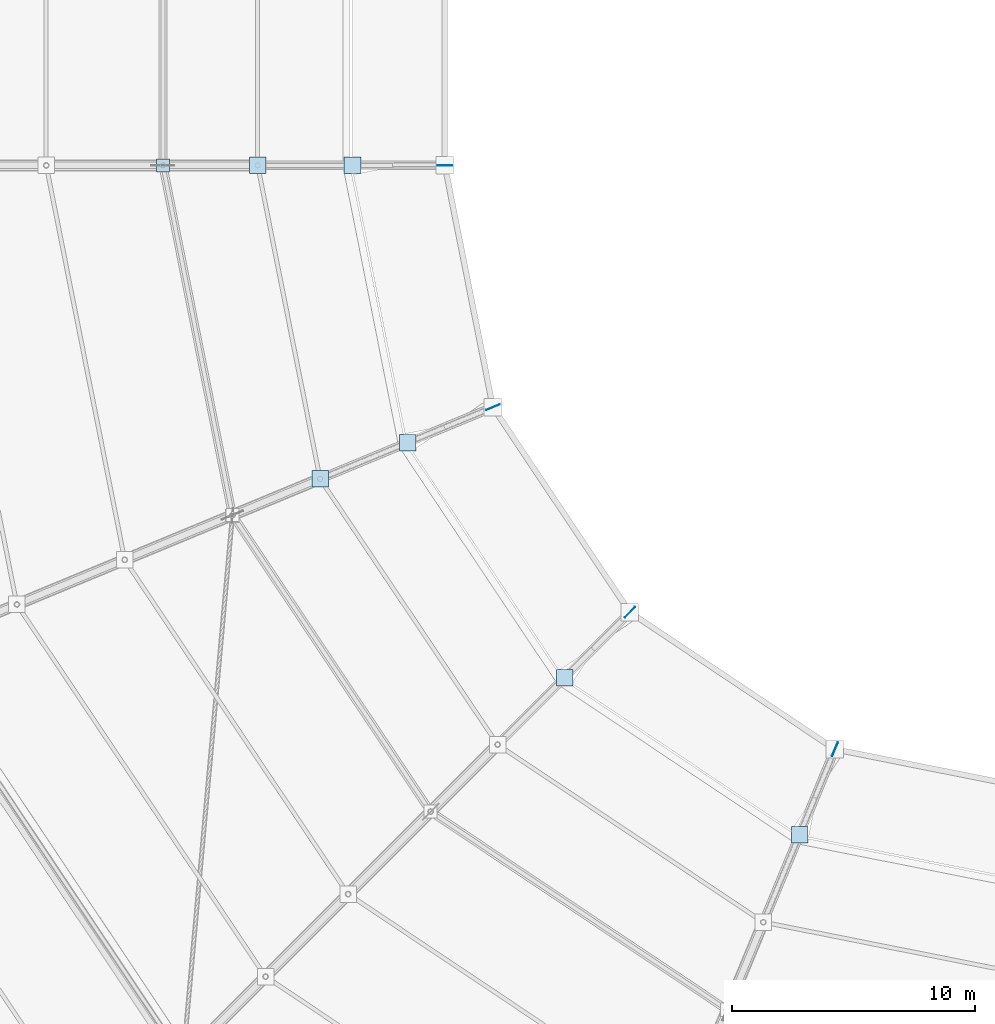
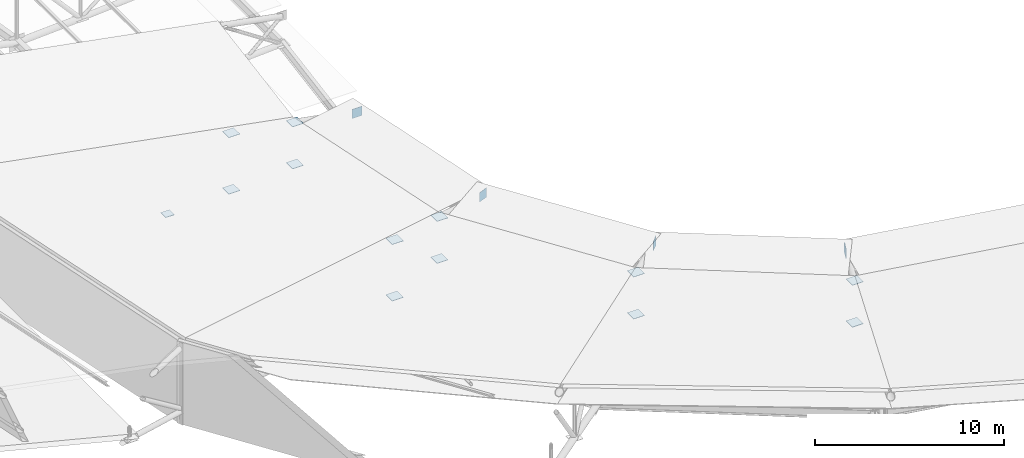
# One storey, part 126 of 146: 17 plates.
"""IFC4 building model written with IfcOpenShell, lengths in metres."""

from ifc_helpers import new_model, si_unit, direction, frame, origin, origin_2d, place, context, subcontext, project, spatial, rectangle, extrude, material, layer, layer_set, type_object, element, save


model = new_model("IFC4")

# Units and contexts
model_context = context("Model", 3, precision=1e-05, world=origin(), true_north=direction((0.0, 1.0)))
body_context = subcontext(model_context, "Body", "Model", "MODEL_VIEW")
ifc_project = project(units=[si_unit("LENGTHUNIT", "METRE"), si_unit("AREAUNIT", "SQUARE_METRE"), si_unit("VOLUMEUNIT", "CUBIC_METRE"), si_unit("PLANEANGLEUNIT", "RADIAN"), si_unit("MASSUNIT", "GRAM", prefix="KILO")], contexts=[model_context])

# Site, building, storey
site_placement = place(None, origin())
site = spatial("IfcSite", under=ifc_project, at=site_placement, CompositionType="ELEMENT")
building_placement = place(site_placement, origin())
building = spatial("IfcBuilding", under=site, at=building_placement, Name="Candeia Ridge Stadium", CompositionType="ELEMENT")
storey_placement = place(building_placement, frame((0.0, 0.0, 31.800048828125)))
storey = spatial("IfcBuildingStorey", under=building, at=storey_placement, Name="RF", CompositionType="ELEMENT", Elevation=31.800048828125)

# Plates
ifc_material = material(Name="Steel ASTM A572 Grade 50", Category="steel")
ifc_layer_1 = layer(ifc_material, 0.02490234375, Name="Steel ASTM A572 Grade 50", Category="steel")
ifc_layer_set_1 = layer_set([ifc_layer_1], Name="Steel ASTM A572 Grade 50")
plate_type_1 = type_object("IfcPlateType", Name="Hollow Section End Closure Plate CP1", PredefinedType="SHEET", material=ifc_layer_set_1)
plate_placement = place(storey_placement, frame((33.39990234375, 71.0, -2.676513671875), z_axis=(0.0, 0.0, 1.0), x_axis=(1.0, 0.0, 0.0)))
element("IfcPlate", 1, at=plate_placement, inside=storey, type_object=plate_type_1, Name="Hollow section end closure plate MCAP-T-BC-MD-14", PredefinedType="SHEET", context=body_context, shape_type="SweptSolid", body=[
    extrude(rectangle(XDim=0.5400390625, YDim=0.5400390625, at=origin_2d()), origin(), (0.0, 0.0, 1.0), 0.02490234375),
])
ifc_layer_2 = layer(ifc_material, 0.02490234375, Name="Steel ASTM A572 Grade 50", Category="steel")
ifc_layer_set_2 = layer_set([ifc_layer_2], Name="Steel ASTM A572 Grade 50")
plate_type_2 = type_object("IfcPlateType", Name="Hollow Section End Closure Plate CP3", PredefinedType="SHEET", material=ifc_layer_set_2)
for number, where, z_axis, x_axis, name in (
    (2, (41.199951171875, 71.0, 0.530517578125), (0.0, 0.0, 1.0), (1.0, 0.0, 0.0), "Hollow section end closure plate NCAP-T-14-1"),
    (3, (41.199951171875, 71.0, -2.186767578125), (0.0, 0.0, 1.0), (1.0, 0.0, 0.0), "Hollow section end closure plate NCAP-B-14-1"),
    (4, (37.300048828125, 71.0, 1.201904296875), (0.0, 0.0, 1.0), (1.0, 0.0, 0.0), "Hollow section end closure plate NCAP-T-14-2"),
    (5, (37.300048828125, 71.0, -2.45654296875), (0.0, 0.0, 1.0), (1.0, 0.0, 0.0), "Hollow section end closure plate NCAP-B-14-2"),
    (6, (43.468505859375, 59.595947265625, 0.530517578125), (0.0, 0.0, 1.0), (1.0, 0.0, 0.0), "Hollow section end closure plate NCAP-T-15-1"),
    (7, (43.468505859375, 59.595947265625, -2.186767578125), (0.0, 0.0, 1.0), (1.0, 0.0, 0.0), "Hollow section end closure plate NCAP-B-15-1"),
    (8, (39.865234375, 58.103515625, 1.201904296875), (0.0, 0.0, 1.0), (1.0, 0.0, 0.0), "Hollow section end closure plate NCAP-T-15-2"),
    (9, (39.865234375, 58.103515625, -2.45654296875), (0.0, 0.0, 1.0), (1.0, 0.0, 0.0), "Hollow section end closure plate NCAP-B-15-2"),
    (10, (49.92822265625, 49.92822265625, 0.530517578125), (0.0, 0.0, 1.0), (1.0, 0.0, 0.0), "Hollow section end closure plate NCAP-T-16-1"),
    (11, (49.92822265625, 49.92822265625, -2.186767578125), (0.0, 0.0, 1.0), (1.0, 0.0, 0.0), "Hollow section end closure plate NCAP-B-16-1"),
    (12, (59.595947265625, 43.468505859375, 0.530517578125), (0.0, 0.0, 1.0), (1.0, 0.0, 0.0), "Hollow section end closure plate NCAP-T-17-1"),
    (13, (59.595947265625, 43.468505859375, -2.186767578125), (0.0, 0.0, 1.0), (1.0, 0.0, 0.0), "Hollow section end closure plate NCAP-B-17-1"),
):
    element("IfcPlate", number, at=place(storey_placement, frame(where, z_axis=z_axis, x_axis=x_axis)), inside=storey, type_object=plate_type_2, Name=name, PredefinedType="SHEET", context=body_context, shape_type="SweptSolid", body=[
        extrude(rectangle(XDim=0.679931640625, YDim=0.679931640625, at=origin_2d()), origin(), (0.0, 0.0, 1.0), 0.02490234375),
    ])
ifc_layer_3 = layer(ifc_material, 0.02392578125, Name="Steel ASTM A572 Grade 50", Category="steel")
ifc_layer_set_3 = layer_set([ifc_layer_3], Name="Steel ASTM A572 Grade 50")
plate_type_3 = type_object("IfcPlateType", Name="Roof Truss Chord-Web Node Gusset ND-3", PredefinedType="USERDEFINED", material=ifc_layer_set_3)
for number, where, z_axis, x_axis, name in (
    (14, (45.0, 71.0, -0.460205078125), (0.0, 0.0, 1.0), (-1.0, 0.0, 0.0), "Roof truss tip gusset node ND-3 bay 15"),
    (15, (46.979248046875, 61.05029296875, -0.460205078125), (0.0, 0.0, 1.0), (-0.923879532077, -0.382683433413, 0.0), "Roof truss tip gusset node ND-3 bay 16"),
    (16, (52.615234375, 52.615234375, -0.460205078125), (0.0, 0.0, 1.0), (-0.707106781187, -0.707106781187, 0.0), "Roof truss tip gusset node ND-3 bay 17"),
    (17, (61.05029296875, 46.979248046875, -0.460205078125), (0.0, 0.0, 1.0), (-0.382683433413, -0.923879532077, 0.0), "Roof truss tip gusset node ND-3 bay 18"),
):
    element("IfcPlate", number, at=place(storey_placement, frame(where, z_axis=z_axis, x_axis=x_axis)), inside=storey, type_object=plate_type_3, Name=name, ObjectType="GUSSET PLATE", PredefinedType="USERDEFINED", context=body_context, shape_type="SweptSolid", body=[
        extrude(rectangle(XDim=0.60009765625, YDim=0.02392578125, at=origin_2d()), origin(), (0.0, 0.0, 1.0), 0.60009765625),
    ])

save(model, "model.ifc")
